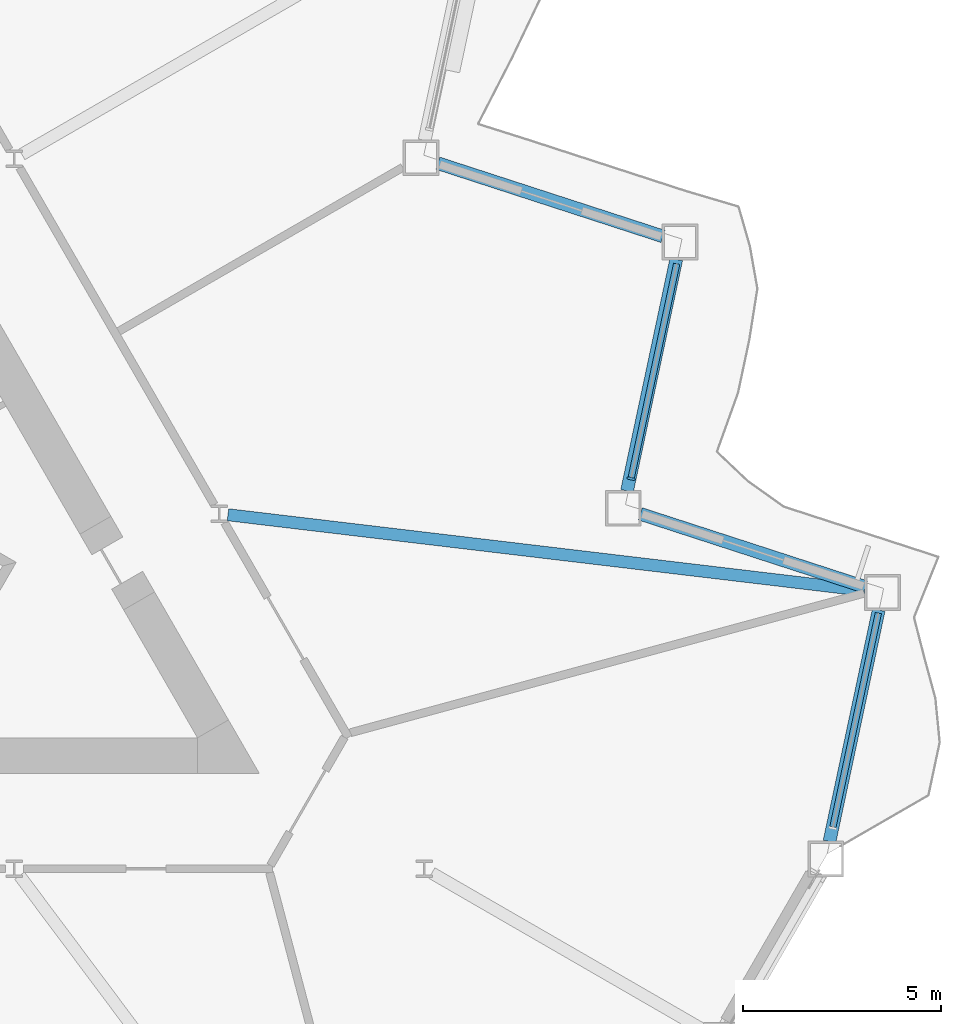
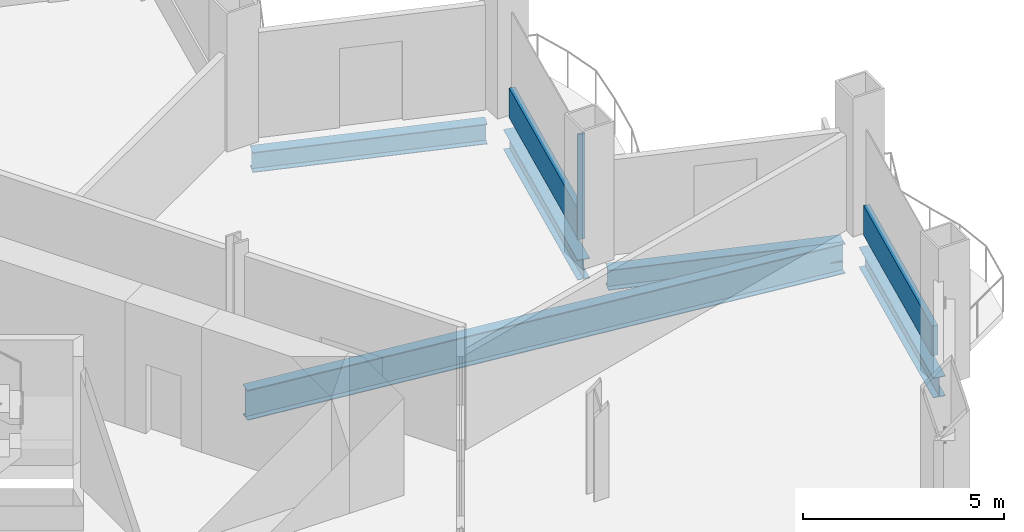
# One storey, part 6 of 21: 5 beams, 3 members, 2 elements without a shape of their own.
"""IFC4 building model written with IfcOpenShell, lengths in metres."""

from ifc_helpers import new_model, si_unit, direction, frame, origin, origin_2d, place, context, subcontext, project, spatial, rectangle, i_section, extrude, material, layer, layer_set, material_profile, profile_set, type_object, element, aggregate, save


model = new_model("IFC4")

# Units and contexts
model_context = context("Model", 3, precision=1e-05, world=origin(), true_north=direction((0.0, 1.0)))
body_context = subcontext(model_context, "Body", "Model", "MODEL_VIEW")
ifc_project = project(units=[si_unit("LENGTHUNIT", "METRE"), si_unit("AREAUNIT", "SQUARE_METRE"), si_unit("VOLUMEUNIT", "CUBIC_METRE"), si_unit("PLANEANGLEUNIT", "RADIAN"), si_unit("MASSUNIT", "GRAM", prefix="KILO")], contexts=[model_context])

# Site, building, storey
site_placement = place(None, origin())
site = spatial("IfcSite", under=ifc_project, at=site_placement, CompositionType="ELEMENT")
building_placement = place(site_placement, origin())
building = spatial("IfcBuilding", under=site, at=building_placement, Name="Cormorant Prow Tower", CompositionType="ELEMENT")
storey_placement = place(building_placement, frame((0.0, 0.0, 150.0)))
storey = spatial("IfcBuildingStorey", under=building, at=storey_placement, Name="L32", CompositionType="ELEMENT", Elevation=150.0)

# Curtain wall, member
ifc_material_1 = material(Name="Aluminium 6063-T6", Category="aluminium")
ifc_layer = layer(ifc_material_1, 0.199951171875)
ifc_layer_set = layer_set([ifc_layer], Name="Aluminium 6063-T6")
curtain_wall_type = type_object("IfcCurtainWallType", Name="Office unitised curtain wall 200", PredefinedType="NOTDEFINED", material=ifc_layer_set)
curtain_wall_1_placement = place(storey_placement, origin())
curtain_wall_1 = element("IfcCurtainWall", 1, at=curtain_wall_1_placement, inside=storey, type_object=curtain_wall_type, Name="Office curtain wall ENE02", PredefinedType="NOTDEFINED")
ifc_material_2 = material(Name="Aluminium 6063-T6", Category="aluminium")
ifc_material_profile_1 = material_profile(ifc_material_2, rectangle(XDim=0.199951171875, YDim=0.06005859375, at=origin_2d()), Name="Office mullion 60x200")
ifc_profile_set_1 = profile_set([ifc_material_profile_1], Name="Aluminium 6063-T6")
member_type_1 = type_object("IfcMemberType", Name="Office mullion 60x200", PredefinedType="MULLION", material=ifc_profile_set_1)
member_1_placement = place(storey_placement, frame((25.862060546875, -2.099609375, 0.0), z_axis=(0.0, 0.0, 1.0), x_axis=(-0.978147576254, 0.207911805985, 0.0)))
member_1 = element("IfcMember", 2, at=member_1_placement, type_object=member_type_1, Name="Office mullion ENE02", PredefinedType="MULLION", context=body_context, shape_type="SweptSolid", body=[
    extrude(rectangle(XDim=0.199951171875, YDim=0.06005859375, at=origin_2d()), origin(), (0.0, 0.0, 1.0), 3.18896484375),
])

curtain_wall_2_placement = place(storey_placement, origin())
curtain_wall_2 = element("IfcCurtainWall", 3, at=curtain_wall_2_placement, inside=storey, type_object=curtain_wall_type, Name="Office curtain wall ENE00", PredefinedType="NOTDEFINED")
ifc_material_3 = material(Name="Terracotta", Category="masonry")
ifc_material_profile_2 = material_profile(ifc_material_3, rectangle(XDim=0.159912109375, YDim=0.89990234375, at=origin_2d()), Name="Office terracotta spandrel rail 160x900")
ifc_profile_set_2 = profile_set([ifc_material_profile_2], Name="Terracotta")
member_type_2 = type_object("IfcMemberType", Name="Office terracotta spandrel rail 160x900", PredefinedType="USERDEFINED", material=ifc_profile_set_2)
member_2_placement = place(storey_placement, frame((30.94970703125, -10.87158203125, 0.449951171875), z_axis=(0.207920804056, 0.978145663611, 0.0), x_axis=(-0.978145663611, 0.207920804056, 0.0)))
member_2 = element("IfcMember", 4, at=member_2_placement, type_object=member_type_2, Name="Office spandrel rail ENE00", ObjectType="TRANSOM", PredefinedType="USERDEFINED", context=body_context, shape_type="SweptSolid", body=[
    extrude(rectangle(XDim=0.159912109375, YDim=0.89990234375, at=origin_2d()), origin(), (0.0, 0.0, 1.0), 5.505859375),
])
aggregate(curtain_wall_2, [member_2])

# Member
member_3_placement = place(storey_placement, frame((25.8681640625, -2.0703125, 0.449951171875), z_axis=(0.207920804056, 0.978145663611, 0.0), x_axis=(-0.978145663611, 0.207920804056, 0.0)))
member_3 = element("IfcMember", 5, at=member_3_placement, type_object=member_type_2, Name="Office spandrel rail ENE02", ObjectType="TRANSOM", PredefinedType="USERDEFINED", context=body_context, shape_type="SweptSolid", body=[
    extrude(rectangle(XDim=0.159912109375, YDim=0.89990234375, at=origin_2d()), origin(), (0.0, 0.0, 1.0), 5.505859375),
])

aggregate(curtain_wall_1, [member_1, member_3])

# Beams
ifc_material_4 = material(Name="Structural steel ASTM A992 Gr 50", Category="steel")
ifc_material_profile_3 = material_profile(ifc_material_4, i_section(OverallWidth=0.3046875, OverallDepth=0.914794921875, WebThickness=0.0166015625, FlangeThickness=0.02587890625, at=origin_2d()), Name="W36x160")
ifc_profile_set_3 = profile_set([ifc_material_profile_3], Name="Structural steel ASTM A992 Gr 50")
beam_type_1 = type_object("IfcBeamType", Name="Radial floor beam W36x160", PredefinedType="BEAM", material=ifc_profile_set_3)
beam_1_placement = place(storey_placement, frame((15.70849609375, -3.00732421875, -0.857421875), z_axis=(0.993009167646, -0.118037252474, 0.0), x_axis=(0.118037252474, 0.993009167646, 0.0)))
element("IfcBeam", 6, at=beam_1_placement, inside=storey, type_object=beam_type_1, Name="Radial floor beam FB1 10 L32", PredefinedType="BEAM", context=body_context, shape_type="SweptSolid", body=[
    extrude(i_section(OverallWidth=0.3046875, OverallDepth=0.914794921875, WebThickness=0.0166015625, FlangeThickness=0.02587890625, at=origin_2d()), origin(), (0.0, 0.0, 1.0), 16.15380859375),
])
ifc_material_5 = material(Name="Structural steel ASTM A992 Gr 50", Category="steel")
ifc_material_profile_4 = material_profile(ifc_material_5, i_section(OverallWidth=0.32373046875, OverallDepth=0.611083984375, WebThickness=0.0126953125, FlangeThickness=0.01904296875, at=origin_2d()), Name="W24x104")
ifc_profile_set_4 = profile_set([ifc_material_profile_4], Name="Structural steel ASTM A992 Gr 50")
beam_type_2 = type_object("IfcBeamType", Name="Spandrel beam W24x104", PredefinedType="SPANDREL", material=ifc_profile_set_4)
beam_2_placement = place(storey_placement, frame((30.86279296875, -11.23974609375, -0.70556640625), z_axis=(0.207912620873, 0.978147403044, 0.0), x_axis=(-0.978147403044, 0.207912620873, 0.0)))
element("IfcBeam", 7, at=beam_2_placement, inside=storey, type_object=beam_type_2, Name="Spandrel beam SB1 ENE00-ENE01 L32", PredefinedType="SPANDREL", context=body_context, shape_type="SweptSolid", body=[
    extrude(i_section(OverallWidth=0.32373046875, OverallDepth=0.611083984375, WebThickness=0.0126953125, FlangeThickness=0.01904296875, at=origin_2d()), origin(), (0.0, 0.0, 1.0), 5.962890625),
])
for number, where, z_axis, x_axis, name in (
    (8, (31.768310546875, -4.828125, -0.70556640625), (-0.951059340519, 0.309008302174, 0.0), (-0.309008302174, -0.951059340519, 0.0), "Spandrel beam SB1 ENE01-ENE02 L32"),
    (9, (25.762939453125, -2.40625, -0.70556640625), (0.207920947907, 0.978145633033, 0.0), (-0.978145633033, 0.207920947907, 0.0), "Spandrel beam SB1 ENE02-ENE03 L32"),
):
    element("IfcBeam", number, at=place(storey_placement, frame(where, z_axis=z_axis, x_axis=x_axis)), inside=storey, type_object=beam_type_2, Name=name, PredefinedType="SPANDREL", context=body_context, shape_type="SweptSolid", body=[
        extrude(i_section(OverallWidth=0.32373046875, OverallDepth=0.611083984375, WebThickness=0.0126953125, FlangeThickness=0.01904296875, at=origin_2d()), origin(), (0.0, 0.0, 1.0), 5.962646484375),
    ])
beam_3_placement = place(storey_placement, frame((26.668212890625, 4.00537109375, -0.70556640625), z_axis=(-0.951055430656, 0.309020335608, 0.0), x_axis=(-0.309020335608, -0.951055430656, 0.0)))
element("IfcBeam", 10, at=beam_3_placement, inside=storey, type_object=beam_type_2, Name="Spandrel beam SB1 ENE03-ENE04 L32", PredefinedType="SPANDREL", context=body_context, shape_type="SweptSolid", body=[
    extrude(i_section(OverallWidth=0.32373046875, OverallDepth=0.611083984375, WebThickness=0.0126953125, FlangeThickness=0.01904296875, at=origin_2d()), origin(), (0.0, 0.0, 1.0), 5.96240234375),
])

save(model, "model.ifc")
